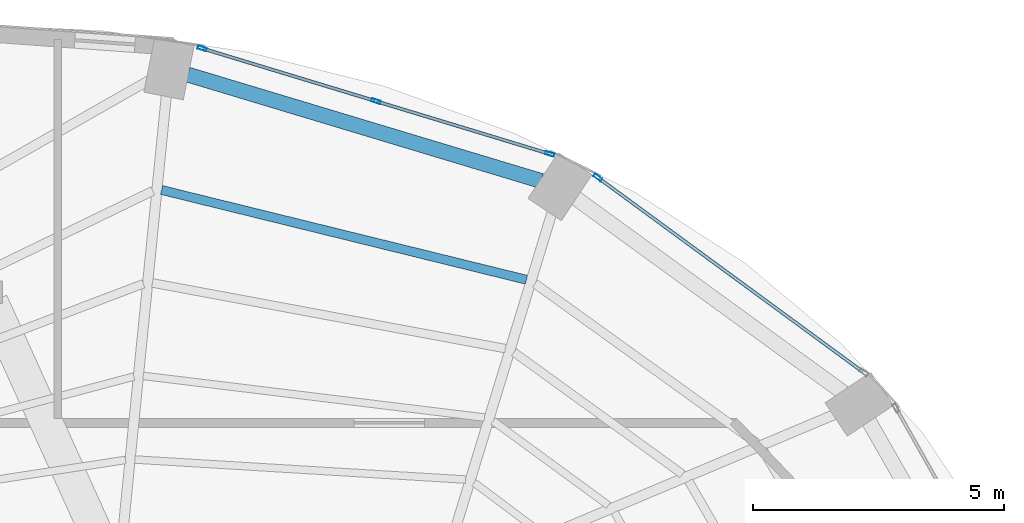
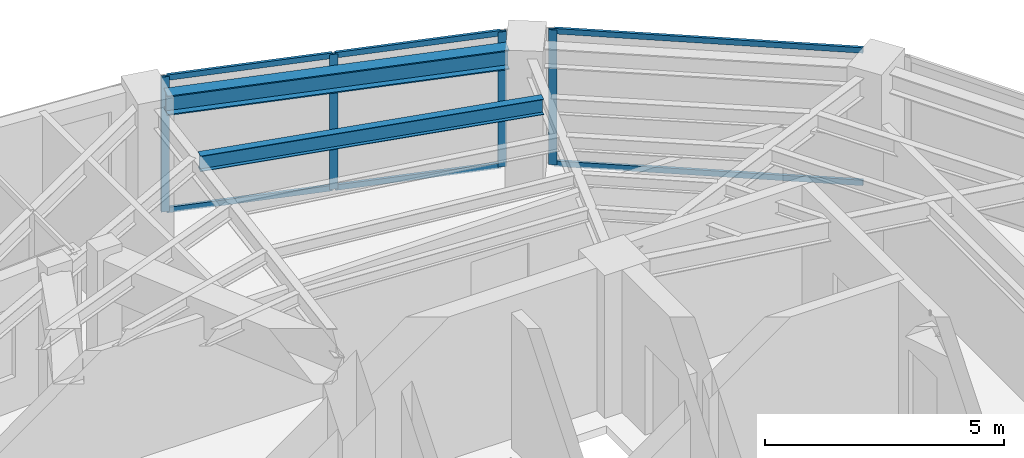
# One storey, part 17 of 22: 10 members, 2 beams, 2 elements without a shape of their own.
"""IFC4 building model written with IfcOpenShell, lengths in metres."""

from ifc_helpers import new_model, si_unit, direction, frame, origin, origin_2d, place, context, subcontext, project, spatial, hollow_rectangle, i_section, extrude, material, layer, layer_set, material_profile, profile_set, type_object, element, aggregate, save


model = new_model("IFC4")

# Units and contexts
model_context = context("Model", 3, precision=1e-05, world=origin(), true_north=direction((0.0, 1.0)))
body_context = subcontext(model_context, "Body", "Model", "MODEL_VIEW")
ifc_project = project(units=[si_unit("LENGTHUNIT", "METRE"), si_unit("AREAUNIT", "SQUARE_METRE"), si_unit("VOLUMEUNIT", "CUBIC_METRE"), si_unit("PLANEANGLEUNIT", "RADIAN"), si_unit("MASSUNIT", "GRAM", prefix="KILO")], contexts=[model_context])

# Site, building, storey
site_placement = place(None, origin())
site = spatial("IfcSite", under=ifc_project, at=site_placement, CompositionType="ELEMENT")
building_placement = place(site_placement, origin())
building = spatial("IfcBuilding", under=site, at=building_placement, Name="Lazwardi Medical Tower", CompositionType="ELEMENT")
storey_placement = place(building_placement, frame((0.0, 0.0, 255.02392578125)))
storey = spatial("IfcBuildingStorey", under=building, at=storey_placement, Name="L66", CompositionType="ELEMENT", Elevation=255.02392578125)

# Beams
ifc_material_1 = material(Name="Steel S355", Category="steel")
ifc_material_profile_1 = material_profile(ifc_material_1, i_section(OverallWidth=0.300048828125, OverallDepth=0.5, WebThickness=0.014404296875, FlangeThickness=0.028076171875, at=origin_2d()), Name="HEB 500")
ifc_profile_set_1 = profile_set([ifc_material_profile_1], Name="Steel S355")
beam_type_1 = type_object("IfcBeamType", Name="BM-RB-Z4", PredefinedType="BEAM", material=ifc_profile_set_1)
beam_1_placement = place(storey_placement, frame((47.626953125, 43.56640625, 3.197998046875), z_axis=(-0.957544311906, 0.288286126506, 0.0), x_axis=(-0.288286126506, -0.957544311906, 0.0)))
element("IfcBeam", 1, at=beam_1_placement, inside=storey, type_object=beam_type_1, Name="Ring beam RB-05 B07 L66", PredefinedType="BEAM", context=body_context, shape_type="SweptSolid", body=[
    extrude(i_section(OverallWidth=0.300048828125, OverallDepth=0.5, WebThickness=0.014404296875, FlangeThickness=0.028076171875, at=origin_2d()), origin(), (0.0, 0.0, 1.0), 7.3515625),
])
ifc_material_profile_2 = material_profile(ifc_material_1, i_section(OverallWidth=0.179931640625, OverallDepth=0.39990234375, WebThickness=0.008544921875, FlangeThickness=0.013427734375, at=origin_2d()), Name="IPE 400")
ifc_profile_set_2 = profile_set([ifc_material_profile_2], Name="Steel S355")
beam_type_2 = type_object("IfcBeamType", Name="BM-SJ-01", PredefinedType="JOIST", material=ifc_profile_set_2)
beam_2_placement = place(storey_placement, frame((47.334228515625, 41.59912109375, 3.248046875), z_axis=(-0.971041669317, 0.238910184904, 0.0), x_axis=(-0.238910184904, -0.971041669317, 0.0)))
element("IfcBeam", 2, at=beam_2_placement, inside=storey, type_object=beam_type_2, Name="Secondary joist SJ-01 R1 B07 L66", PredefinedType="JOIST", context=body_context, shape_type="SweptSolid", body=[
    extrude(i_section(OverallWidth=0.179931640625, OverallDepth=0.39990234375, WebThickness=0.008544921875, FlangeThickness=0.013427734375, at=origin_2d()), origin(), (0.0, 0.0, 1.0), 7.482421875),
])

# Curtain wall, member
ifc_material_2 = material(Name="Anodised bronze aluminium and solar control glazing", Category="aluminium")
ifc_layer = layer(ifc_material_2, 0.18994140625)
ifc_layer_set = layer_set([ifc_layer], Name="Anodised bronze aluminium and solar control glazing")
curtain_wall_type = type_object("IfcCurtainWallType", Name="CW-SYS-04", PredefinedType="NOTDEFINED", material=ifc_layer_set)
curtain_wall_1_placement = place(storey_placement, origin())
curtain_wall_1 = element("IfcCurtainWall", 3, at=curtain_wall_1_placement, inside=storey, type_object=curtain_wall_type, Name="L66 Unitised bronze curtain wall CW-04", PredefinedType="NOTDEFINED")
ifc_material_3 = material(Name="Anodised bronze aluminium", Category="aluminium")
ifc_material_profile_3 = material_profile(ifc_material_3, hollow_rectangle(XDim=0.06494140625, YDim=0.179931640625, WallThickness=0.00390625, at=origin_2d()), Name="ALU-MULLION 180x65x4")
ifc_profile_set_3 = profile_set([ifc_material_profile_3], Name="Anodised bronze aluminium")
member_type_1 = type_object("IfcMemberType", Name="CW-MUL-03", PredefinedType="MULLION", material=ifc_profile_set_3)
member_1_placement = place(storey_placement, frame((48.75537109375, 43.634765625, 0.0), z_axis=(0.0, 0.0, 1.0), x_axis=(-0.591268230971, -0.806474971121, 0.0)))
member_1 = element("IfcMember", 4, at=member_1_placement, type_object=member_type_1, Name="CW-04 mullion 2", PredefinedType="MULLION", context=body_context, shape_type="SweptSolid", body=[
    extrude(hollow_rectangle(XDim=0.06494140625, YDim=0.179931640625, WallThickness=0.00390625, at=origin_2d()), origin(), (0.0, 0.0, 1.0), 3.447998046875),
])

# Curtain wall, members
curtain_wall_2_placement = place(storey_placement, origin())
curtain_wall_2 = element("IfcCurtainWall", 5, at=curtain_wall_2_placement, inside=storey, type_object=curtain_wall_type, Name="L66 Unitised bronze curtain wall CW-04", PredefinedType="NOTDEFINED")
member_2_placement = place(storey_placement, frame((47.7998046875, 44.103515625, 0.0), z_axis=(0.0, 0.0, 1.0), x_axis=(-0.290581889515, -0.956850126972, 0.0)))
member_2 = element("IfcMember", 6, at=member_2_placement, type_object=member_type_1, Name="CW-04 mullion 1", PredefinedType="MULLION", context=body_context, shape_type="SweptSolid", body=[
    extrude(hollow_rectangle(XDim=0.06494140625, YDim=0.179931640625, WallThickness=0.00390625, at=origin_2d()), origin(), (0.0, 0.0, 1.0), 3.447998046875),
])
member_3_placement = place(storey_placement, frame((44.33642578125, 45.1552734375, 0.0), z_axis=(0.0, 0.0, 1.0), x_axis=(-0.290581889515, -0.956850126972, 0.0)))
member_3 = element("IfcMember", 7, at=member_3_placement, type_object=member_type_1, Name="CW-04 mullion 2", PredefinedType="MULLION", context=body_context, shape_type="SweptSolid", body=[
    extrude(hollow_rectangle(XDim=0.06494140625, YDim=0.179931640625, WallThickness=0.00390625, at=origin_2d()), origin(), (0.0, 0.0, 1.0), 3.447998046875),
])
member_4_placement = place(storey_placement, frame((40.873046875, 46.20703125, 0.0), z_axis=(0.0, 0.0, 1.0), x_axis=(-0.290581889515, -0.956850126972, 0.0)))
member_4 = element("IfcMember", 8, at=member_4_placement, type_object=member_type_1, Name="CW-04 mullion 3", PredefinedType="MULLION", context=body_context, shape_type="SweptSolid", body=[
    extrude(hollow_rectangle(XDim=0.06494140625, YDim=0.179931640625, WallThickness=0.00390625, at=origin_2d()), origin(), (0.0, 0.0, 1.0), 3.447998046875),
])

# Member
ifc_material_profile_4 = material_profile(ifc_material_3, hollow_rectangle(XDim=0.06494140625, YDim=0.139892578125, WallThickness=0.00341796875, at=origin_2d()), Name="ALU-TRANSOM 140x65x3.5")
ifc_profile_set_4 = profile_set([ifc_material_profile_4], Name="Anodised bronze aluminium")
member_type_2 = type_object("IfcMemberType", Name="CW-TRN-03", PredefinedType="USERDEFINED", material=ifc_profile_set_4)
member_5_placement = place(storey_placement, frame((54.02587890625, 39.770751953125, 0.032470703125), z_axis=(-0.806471831148, 0.591272513791, 0.0), x_axis=(-0.591272513791, -0.806471831148, 0.0)))
member_5 = element("IfcMember", 9, at=member_5_placement, type_object=member_type_2, Name="CW-04 transom 1.1", ObjectType="TRANSOM", PredefinedType="USERDEFINED", context=body_context, shape_type="SweptSolid", body=[
    extrude(hollow_rectangle(XDim=0.06494140625, YDim=0.139892578125, WallThickness=0.00341796875, at=origin_2d()), origin(), (0.0, 0.0, 1.0), 6.5029296875),
])

member_6_placement = place(storey_placement, frame((54.02587890625, 39.770751953125, 3.41552734375), z_axis=(-0.806471831148, 0.591272513791, 0.0), x_axis=(-0.591272513791, -0.806471831148, 0.0)))
member_6 = element("IfcMember", 10, at=member_6_placement, type_object=member_type_2, Name="CW-04 transom 1.2", ObjectType="TRANSOM", PredefinedType="USERDEFINED", context=body_context, shape_type="SweptSolid", body=[
    extrude(hollow_rectangle(XDim=0.06494140625, YDim=0.139892578125, WallThickness=0.00341796875, at=origin_2d()), origin(), (0.0, 0.0, 1.0), 6.5029296875),
])

aggregate(curtain_wall_1, [member_1, member_5, member_6])

member_7_placement = place(storey_placement, frame((47.7685546875, 44.113037109375, 0.032470703125), z_axis=(-0.956862505902, 0.290541124109, 0.0), x_axis=(-0.290541124109, -0.956862505902, 0.0)))
member_7 = element("IfcMember", 11, at=member_7_placement, type_object=member_type_2, Name="CW-04 transom 1.1", ObjectType="TRANSOM", PredefinedType="USERDEFINED", context=body_context, shape_type="SweptSolid", body=[
    extrude(hollow_rectangle(XDim=0.06494140625, YDim=0.139892578125, WallThickness=0.00341796875, at=origin_2d()), origin(), (0.0, 0.0, 1.0), 3.554443359375),
])

member_8_placement = place(storey_placement, frame((47.7685546875, 44.113037109375, 3.41552734375), z_axis=(-0.956862505902, 0.290541124109, 0.0), x_axis=(-0.290541124109, -0.956862505902, 0.0)))
member_8 = element("IfcMember", 12, at=member_8_placement, type_object=member_type_2, Name="CW-04 transom 1.2", ObjectType="TRANSOM", PredefinedType="USERDEFINED", context=body_context, shape_type="SweptSolid", body=[
    extrude(hollow_rectangle(XDim=0.06494140625, YDim=0.139892578125, WallThickness=0.00341796875, at=origin_2d()), origin(), (0.0, 0.0, 1.0), 3.554443359375),
])

member_9_placement = place(storey_placement, frame((44.305419921875, 45.164794921875, 0.032470703125), z_axis=(-0.956862505902, 0.290541124109, 0.0), x_axis=(-0.290541124109, -0.956862505902, 0.0)))
member_9 = element("IfcMember", 13, at=member_9_placement, type_object=member_type_2, Name="CW-04 transom 2.1", ObjectType="TRANSOM", PredefinedType="USERDEFINED", context=body_context, shape_type="SweptSolid", body=[
    extrude(hollow_rectangle(XDim=0.06494140625, YDim=0.139892578125, WallThickness=0.00341796875, at=origin_2d()), origin(), (0.0, 0.0, 1.0), 3.554443359375),
])

member_10_placement = place(storey_placement, frame((44.305419921875, 45.164794921875, 3.41552734375), z_axis=(-0.956862505902, 0.290541124109, 0.0), x_axis=(-0.290541124109, -0.956862505902, 0.0)))
member_10 = element("IfcMember", 14, at=member_10_placement, type_object=member_type_2, Name="CW-04 transom 2.2", ObjectType="TRANSOM", PredefinedType="USERDEFINED", context=body_context, shape_type="SweptSolid", body=[
    extrude(hollow_rectangle(XDim=0.06494140625, YDim=0.139892578125, WallThickness=0.00341796875, at=origin_2d()), origin(), (0.0, 0.0, 1.0), 3.554443359375),
])

aggregate(curtain_wall_2, [member_2, member_3, member_4, member_7, member_8, member_9, member_10])

save(model, "model.ifc")
